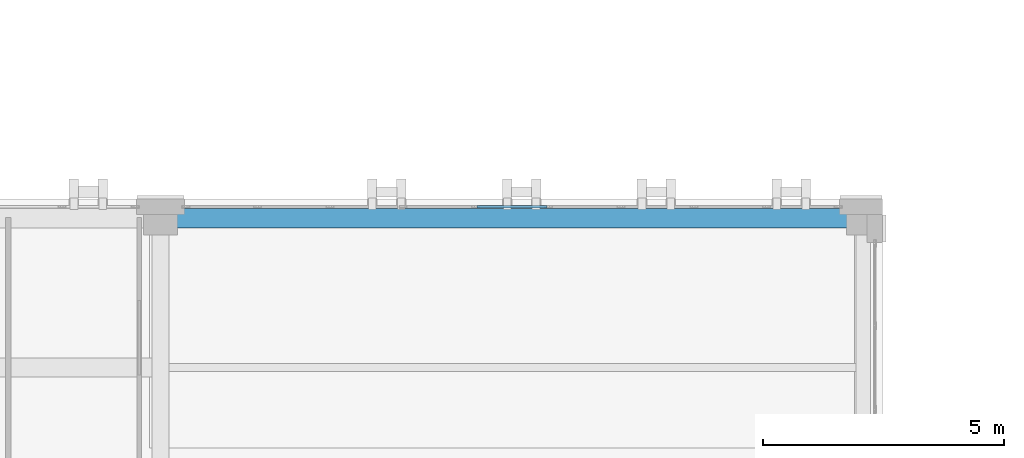
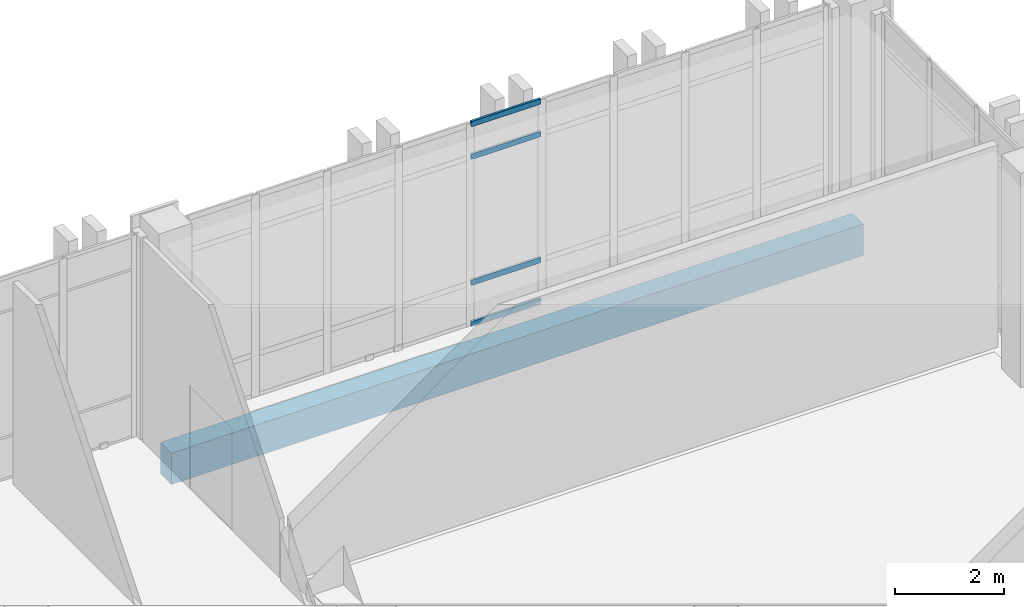
# One storey, part 110 of 189: 4 members, 1 beam, 1 element without a shape of its own.
"""IFC4 building model written with IfcOpenShell, lengths in metres."""

from ifc_helpers import new_model, si_unit, direction, frame, origin, origin_2d, place, context, subcontext, project, spatial, rectangle, hollow_rectangle, extrude, material, layer, layer_set, material_profile, profile_set, type_object, element, aggregate, save


model = new_model("IFC4")

# Units and contexts
model_context = context("Model", 3, precision=1e-05, world=origin(), true_north=direction((0.0, 1.0)))
body_context = subcontext(model_context, "Body", "Model", "MODEL_VIEW")
ifc_project = project(units=[si_unit("LENGTHUNIT", "METRE"), si_unit("AREAUNIT", "SQUARE_METRE"), si_unit("VOLUMEUNIT", "CUBIC_METRE"), si_unit("PLANEANGLEUNIT", "RADIAN"), si_unit("MASSUNIT", "GRAM", prefix="KILO")], contexts=[model_context])

# Site, building, storey
site_placement = place(None, origin())
site = spatial("IfcSite", under=ifc_project, at=site_placement, CompositionType="ELEMENT")
building_placement = place(site_placement, origin())
building = spatial("IfcBuilding", under=site, at=building_placement, Name="Qalavern Law Courts", CompositionType="ELEMENT")
storey_placement = place(building_placement, frame((0.0, 0.0, 5.39990234375)))
storey = spatial("IfcBuildingStorey", under=building, at=storey_placement, Name="L01", CompositionType="ELEMENT", Elevation=5.39990234375)

# Curtain wall, members
ifc_material_1 = material(Name="Anodised aluminium and insulated glazing", Category="aluminium")
ifc_layer = layer(ifc_material_1, 0.172119140625)
ifc_layer_set = layer_set([ifc_layer], Name="Anodised aluminium and insulated glazing")
curtain_wall_type = type_object("IfcCurtainWallType", Name="ENV-CW-COURT", PredefinedType="USERDEFINED", material=ifc_layer_set)
curtain_wall_placement = place(storey_placement, origin())
curtain_wall = element("IfcCurtainWall", 1, at=curtain_wall_placement, inside=storey, type_object=curtain_wall_type, Name="V4 unitised curtain wall L01 north 1", ObjectType="UNITISED CURTAIN WALL", PredefinedType="USERDEFINED")
ifc_material_2 = material(Name="Anodised aluminium", Category="aluminium")
ifc_material_profile_1 = material_profile(ifc_material_2, hollow_rectangle(XDim=0.048095703125, YDim=0.1201171875, WallThickness=0.00390625, at=origin_2d()), Name="ALU TRANSOM 48x120")
ifc_profile_set_1 = profile_set([ifc_material_profile_1], Name="Anodised aluminium")
member_type = type_object("IfcMemberType", Name="ENV-CWT-48x120", PredefinedType="USERDEFINED", material=ifc_profile_set_1)
member_1_placement = place(storey_placement, frame((99.83154296875, 85.637451171875, 0.024169921875), z_axis=(-1.0, 0.0, 0.0), x_axis=(0.0, -1.0, 0.0)))
member_1 = element("IfcMember", 2, at=member_1_placement, type_object=member_type, Name="CW-03 transom 5.1", ObjectType="TRANSOM", PredefinedType="USERDEFINED", context=body_context, shape_type="SweptSolid", body=[
    extrude(hollow_rectangle(XDim=0.048095703125, YDim=0.1201171875, WallThickness=0.00390625, at=origin_2d()), origin(), (0.0, 0.0, 1.0), 1.463134765625),
])
member_2_placement = place(storey_placement, frame((99.83154296875, 85.637451171875, 0.9501953125), z_axis=(-1.0, 0.0, 0.0), x_axis=(0.0, -1.0, 0.0)))
member_2 = element("IfcMember", 3, at=member_2_placement, type_object=member_type, Name="CW-03 transom 5.2", ObjectType="TRANSOM", PredefinedType="USERDEFINED", context=body_context, shape_type="SweptSolid", body=[
    extrude(hollow_rectangle(XDim=0.048095703125, YDim=0.1201171875, WallThickness=0.00390625, at=origin_2d()), origin(), (0.0, 0.0, 1.0), 1.463134765625),
])
member_3_placement = place(storey_placement, frame((99.83154296875, 85.637451171875, 3.760009765625), z_axis=(-1.0, 0.0, 0.0), x_axis=(0.0, -1.0, 0.0)))
member_3 = element("IfcMember", 4, at=member_3_placement, type_object=member_type, Name="CW-03 transom 5.3", ObjectType="TRANSOM", PredefinedType="USERDEFINED", context=body_context, shape_type="SweptSolid", body=[
    extrude(hollow_rectangle(XDim=0.048095703125, YDim=0.1201171875, WallThickness=0.00390625, at=origin_2d()), origin(), (0.0, 0.0, 1.0), 1.463134765625),
])
member_4_placement = place(storey_placement, frame((99.83154296875, 85.637451171875, 4.486083984375), z_axis=(-1.0, 0.0, 0.0), x_axis=(0.0, -1.0, 0.0)))
member_4 = element("IfcMember", 5, at=member_4_placement, type_object=member_type, Name="CW-03 transom 5.4", ObjectType="TRANSOM", PredefinedType="USERDEFINED", context=body_context, shape_type="SweptSolid", body=[
    extrude(hollow_rectangle(XDim=0.048095703125, YDim=0.1201171875, WallThickness=0.00390625, at=origin_2d()), origin(), (0.0, 0.0, 1.0), 1.463134765625),
])
aggregate(curtain_wall, [member_1, member_2, member_3, member_4])

# Beam
ifc_material_3 = material(Name="Concrete C40/50", Category="concrete")
ifc_material_profile_2 = material_profile(ifc_material_3, rectangle(XDim=0.39990234375, YDim=0.699951171875, at=origin_2d()), Name="RC 400x700")
ifc_profile_set_2 = profile_set([ifc_material_profile_2], Name="Concrete C40/50")
beam_type = type_object("IfcBeamType", Name="STR-SP-RC400x700", PredefinedType="SPANDREL", material=ifc_profile_set_2)
beam_placement = place(storey_placement, frame((91.800048828125, 85.39990234375, -0.64990234375), z_axis=(1.0, 0.0, 0.0), x_axis=(0.0, 1.0, 0.0)))
element("IfcBeam", 6, at=beam_placement, inside=storey, type_object=beam_type, Name="V4 X-beam 7-2 L01", PredefinedType="SPANDREL", context=body_context, shape_type="SweptSolid", body=[
    extrude(rectangle(XDim=0.39990234375, YDim=0.699951171875, at=origin_2d()), origin(), (0.0, 0.0, 1.0), 14.599853515625),
])

save(model, "model.ifc")
